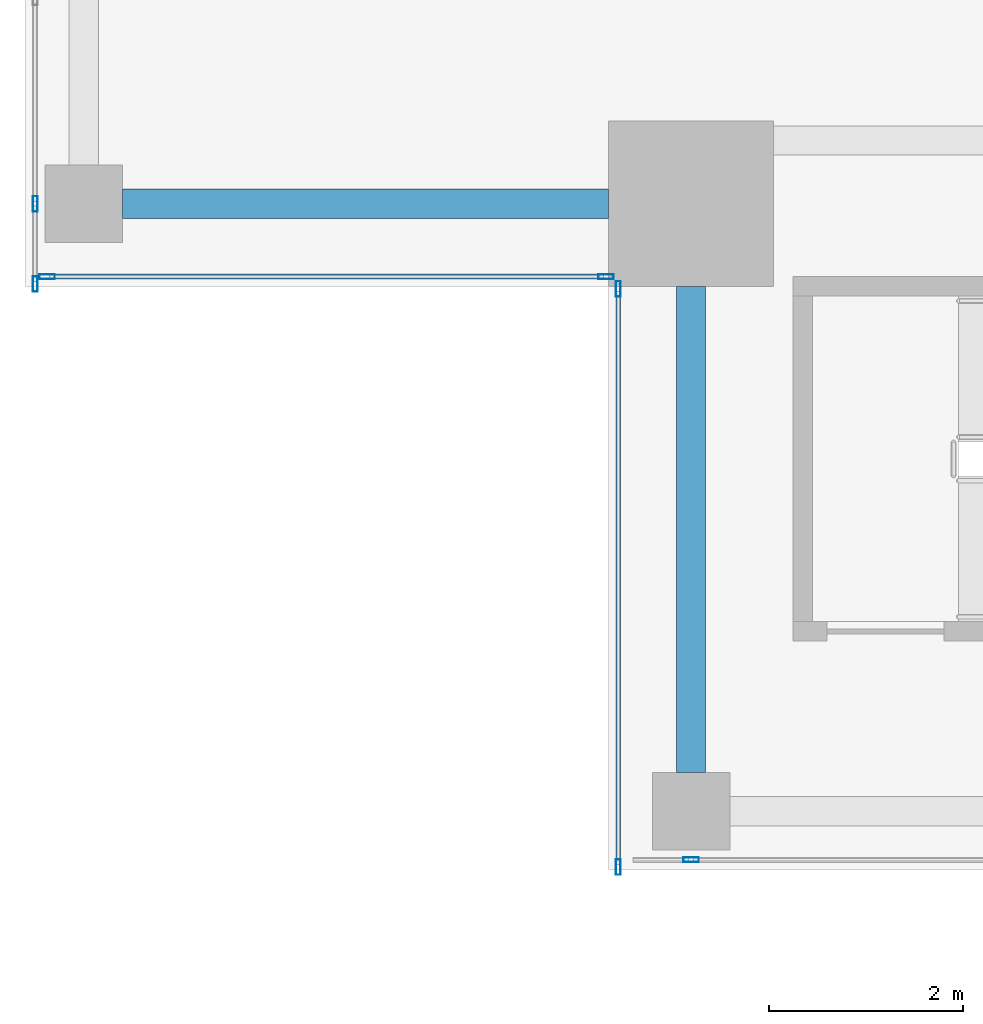
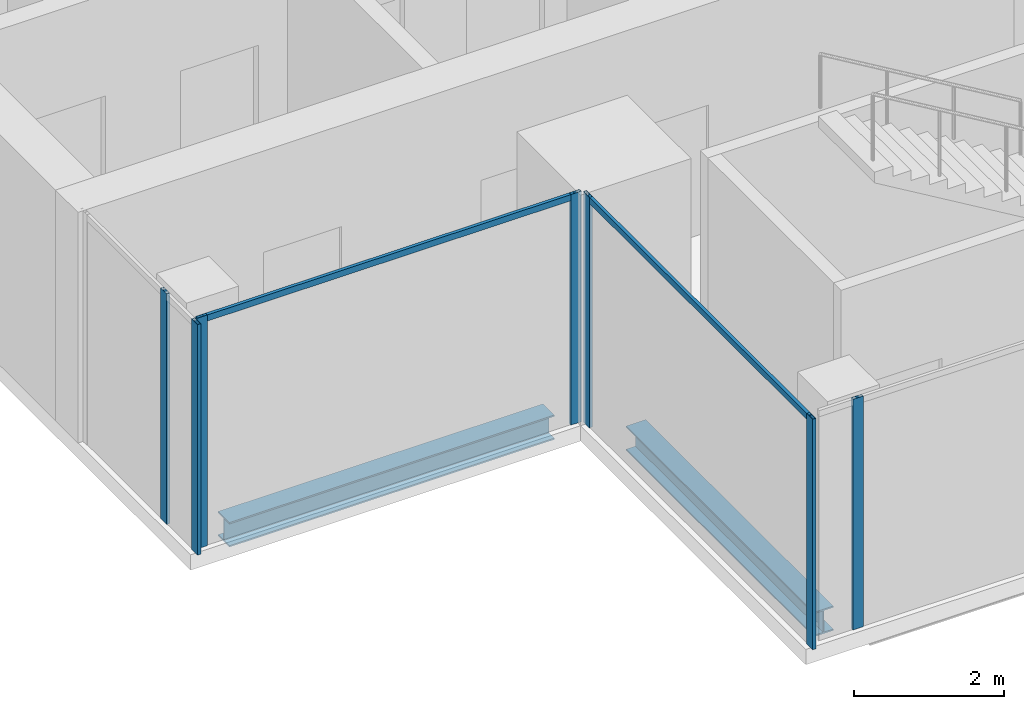
# One storey, part 2 of 29: 9 members, 2 beams, 4 elements without a shape of their own.
"""IFC4 building model written with IfcOpenShell, lengths in metres."""

from ifc_helpers import new_model, si_unit, direction, frame, origin, origin_2d, place, context, subcontext, project, spatial, hollow_rectangle, i_section, extrude, source, transform, mapped, material, material_profile, profile_set, type_object, element, aggregate, save


model = new_model("IFC4")

# Units and contexts
model_context = context("Model", 3, precision=1e-05, world=origin(), true_north=direction((0.0, 1.0)))
body_context = subcontext(model_context, "Body", "Model", "MODEL_VIEW")
ifc_project = project(units=[si_unit("LENGTHUNIT", "METRE"), si_unit("AREAUNIT", "SQUARE_METRE"), si_unit("VOLUMEUNIT", "CUBIC_METRE"), si_unit("PLANEANGLEUNIT", "RADIAN"), si_unit("MASSUNIT", "GRAM", prefix="KILO")], contexts=[model_context])

# Site, building, storey
site_placement = place(None, origin())
site = spatial("IfcSite", under=ifc_project, at=site_placement, CompositionType="ELEMENT")
building_placement = place(site_placement, origin())
building = spatial("IfcBuilding", under=site, at=building_placement, Name="Khomas Fold Tower", CompositionType="ELEMENT")
storey_placement = place(building_placement, frame((0.0, 0.0, 286.199951171875)))
storey = spatial("IfcBuildingStorey", under=building, at=storey_placement, Name="L64", CompositionType="ELEMENT", Elevation=286.199951171875)

# Beams
ifc_material_1 = material(Name="Steel S355", Category="steel")
ifc_material_profile_1 = material_profile(ifc_material_1, i_section(OverallWidth=0.300048828125, OverallDepth=0.39990234375, WebThickness=0.013427734375, FlangeThickness=0.02392578125, at=origin_2d()), Name="HE 400 B")
ifc_profile_set_1 = profile_set([ifc_material_profile_1], Name="Steel S355")
beam_type = type_object("IfcBeamType", Name="HE 400 B spandrel SB5", PredefinedType="SPANDREL", material=ifc_profile_set_1)
shared_shape_1 = source(origin(), body_context, "Body", "SweptSolid", [
    extrude(i_section(OverallWidth=0.300048828125, OverallDepth=0.39990234375, WebThickness=0.013427734375, FlangeThickness=0.02392578125, at=origin_2d()), origin(), (0.0, 0.0, 1.0), 5.0),
])
for number, where, z_axis, x_axis, name in (
    (1, (7.0, 12.85009765625, -0.449951171875), (1.0, 0.0, 0.0), (0.0, 1.0, 0.0), "SB5"),
    (2, (12.85009765625, 7.0, -0.449951171875), (0.0, 1.0, 0.0), (-1.0, 0.0, 0.0), "SB5"),
):
    element("IfcBeam", number, at=place(storey_placement, frame(where, z_axis=z_axis, x_axis=x_axis)), inside=storey, type_object=beam_type, Name=name, PredefinedType="SPANDREL", context=body_context, shape_type="MappedRepresentation", body=[
        mapped(shared_shape_1, transform((0.0, 0.0, 0.0))),
    ])

# Curtain wall, member
ifc_material_2 = material(Name="Aluminium framed double glazing", Category="aluminium")
curtain_wall_type = type_object("IfcCurtainWallType", Name="SK-Unitised clear-glass wall, upper floors CW3", PredefinedType="NOTDEFINED", material=ifc_material_2)
curtain_wall_1_placement = place(storey_placement, origin())
curtain_wall_1 = element("IfcCurtainWall", 3, at=curtain_wall_1_placement, inside=storey, type_object=curtain_wall_type, Name="CW3 run L64 00-0", PredefinedType="NOTDEFINED")
ifc_material_3 = material(Name="Aluminium", Category="aluminium")
ifc_material_profile_2 = material_profile(ifc_material_3, hollow_rectangle(XDim=0.050048828125, YDim=0.159912109375, WallThickness=0.00390625, at=origin_2d()), Name="SK-Unitised clear-glass wall, upper floors mullion CW3-M")
ifc_profile_set_2 = profile_set([ifc_material_profile_2], Name="Aluminium")
member_type_1 = type_object("IfcMemberType", Name="SK-Unitised clear-glass wall, upper floors mullion CW3-M", PredefinedType="MULLION", material=ifc_profile_set_2)
shared_shape_2 = source(origin(), body_context, "Body", "SweptSolid", [
    extrude(hollow_rectangle(XDim=0.050048828125, YDim=0.159912109375, WallThickness=0.00390625, at=origin_2d()), origin(), (0.0, 0.0, 1.0), 3.75),
])
member_1_placement = place(storey_placement, frame((12.85009765625, 6.10009765625, 0.0), z_axis=(0.0, 0.0, 1.0), x_axis=(0.0, 1.0, 0.0)))
member_1 = element("IfcMember", 4, at=member_1_placement, type_object=member_type_1, Name="CW3 mullion 2", PredefinedType="MULLION", context=body_context, shape_type="MappedRepresentation", body=[
    mapped(shared_shape_2, transform((0.0, 0.0, 0.0))),
])
aggregate(curtain_wall_1, [member_1])

# Curtain wall, members
curtain_wall_2_placement = place(storey_placement, origin())
curtain_wall_2 = element("IfcCurtainWall", 5, at=curtain_wall_2_placement, inside=storey, type_object=curtain_wall_type, Name="CW3 run L64 09-1", PredefinedType="NOTDEFINED")
member_2_placement = place(storey_placement, frame((6.10009765625, 12.85009765625, 0.0), z_axis=(0.0, 0.0, 1.0), x_axis=(1.0, 0.0, 0.0)))
member_2 = element("IfcMember", 6, at=member_2_placement, type_object=member_type_1, Name="CW3 mullion 2", PredefinedType="MULLION", context=body_context, shape_type="MappedRepresentation", body=[
    mapped(shared_shape_2, transform((0.0, 0.0, 0.0))),
])
member_3_placement = place(storey_placement, frame((6.10009765625, 12.02490234375, 0.0), z_axis=(0.0, 0.0, 1.0), x_axis=(1.0, 0.0, 0.0)))
member_3 = element("IfcMember", 7, at=member_3_placement, type_object=member_type_1, Name="CW3 mullion 3", PredefinedType="MULLION", context=body_context, shape_type="MappedRepresentation", body=[
    mapped(shared_shape_2, transform((0.0, 0.0, 0.0))),
])
aggregate(curtain_wall_2, [member_2, member_3])

curtain_wall_3_placement = place(storey_placement, origin())
curtain_wall_3 = element("IfcCurtainWall", 8, at=curtain_wall_3_placement, inside=storey, type_object=curtain_wall_type, Name="CW3 corner return L64 10", PredefinedType="NOTDEFINED")
member_4_placement = place(storey_placement, frame((6.22509765625, 12.10009765625, 0.0), z_axis=(0.0, 0.0, 1.0), x_axis=(0.0, 1.0, 0.0)))
member_4 = element("IfcMember", 9, at=member_4_placement, type_object=member_type_1, Name="CW3 mullion 1", PredefinedType="MULLION", context=body_context, shape_type="MappedRepresentation", body=[
    mapped(shared_shape_2, transform((0.0, 0.0, 0.0))),
])
member_5_placement = place(storey_placement, frame((11.97509765625, 12.10009765625, 0.0), z_axis=(0.0, 0.0, 1.0), x_axis=(0.0, 1.0, 0.0)))
member_5 = element("IfcMember", 10, at=member_5_placement, type_object=member_type_1, Name="CW3 mullion 2", PredefinedType="MULLION", context=body_context, shape_type="MappedRepresentation", body=[
    mapped(shared_shape_2, transform((0.0, 0.0, 0.0))),
])

curtain_wall_4_placement = place(storey_placement, origin())
curtain_wall_4 = element("IfcCurtainWall", 11, at=curtain_wall_4_placement, inside=storey, type_object=curtain_wall_type, Name="CW3 corner return L64 11", PredefinedType="NOTDEFINED")
member_6_placement = place(storey_placement, frame((12.10009765625, 11.97509765625, 0.0), z_axis=(0.0, 0.0, 1.0), x_axis=(1.0, 0.0, 0.0)))
member_6 = element("IfcMember", 12, at=member_6_placement, type_object=member_type_1, Name="CW3 mullion 1", PredefinedType="MULLION", context=body_context, shape_type="MappedRepresentation", body=[
    mapped(shared_shape_2, transform((0.0, 0.0, 0.0))),
])
member_7_placement = place(storey_placement, frame((12.10009765625, 6.02490234375, 0.0), z_axis=(0.0, 0.0, 1.0), x_axis=(1.0, 0.0, 0.0)))
member_7 = element("IfcMember", 13, at=member_7_placement, type_object=member_type_1, Name="CW3 mullion 2", PredefinedType="MULLION", context=body_context, shape_type="MappedRepresentation", body=[
    mapped(shared_shape_2, transform((0.0, 0.0, 0.0))),
])

# Member
ifc_material_4 = material(Name="Aluminium", Category="aluminium")
ifc_material_profile_3 = material_profile(ifc_material_4, hollow_rectangle(XDim=0.050048828125, YDim=0.10009765625, WallThickness=0.00390625, at=origin_2d()), Name="SK-Unitised clear-glass wall, upper floors transom CW3-T")
ifc_profile_set_3 = profile_set([ifc_material_profile_3], Name="Aluminium")
member_type_2 = type_object("IfcMemberType", Name="SK-Unitised clear-glass wall, upper floors transom CW3-T", PredefinedType="USERDEFINED", material=ifc_profile_set_3)
shared_shape_3 = source(origin(), body_context, "Body", "SweptSolid", [
    extrude(hollow_rectangle(XDim=0.050048828125, YDim=0.10009765625, WallThickness=0.00390625, at=origin_2d()), origin(), (0.0, 0.0, 1.0), 5.699951171875),
])
member_8_placement = place(storey_placement, frame((6.25, 12.10009765625, 3.699951171875), z_axis=(1.0, 0.0, 0.0), x_axis=(0.0, 1.0, 0.0)))
member_8 = element("IfcMember", 14, at=member_8_placement, type_object=member_type_2, Name="CW3 transom 1", ObjectType="TRANSOM", PredefinedType="USERDEFINED", context=body_context, shape_type="MappedRepresentation", body=[
    mapped(shared_shape_3, transform((0.0, 0.0, 0.0))),
])

aggregate(curtain_wall_3, [member_4, member_5, member_8])

shared_shape_4 = source(origin(), body_context, "Body", "SweptSolid", [
    extrude(hollow_rectangle(XDim=0.050048828125, YDim=0.10009765625, WallThickness=0.00390625, at=origin_2d()), origin(), (0.0, 0.0, 1.0), 5.89990234375),
])
member_9_placement = place(storey_placement, frame((12.10009765625, 11.949951171875, 3.699951171875), z_axis=(0.0, -1.0, 0.0), x_axis=(1.0, 0.0, 0.0)))
member_9 = element("IfcMember", 15, at=member_9_placement, type_object=member_type_2, Name="CW3 transom 1", ObjectType="TRANSOM", PredefinedType="USERDEFINED", context=body_context, shape_type="MappedRepresentation", body=[
    mapped(shared_shape_4, transform((0.0, 0.0, 0.0))),
])

aggregate(curtain_wall_4, [member_6, member_7, member_9])

save(model, "model.ifc")
